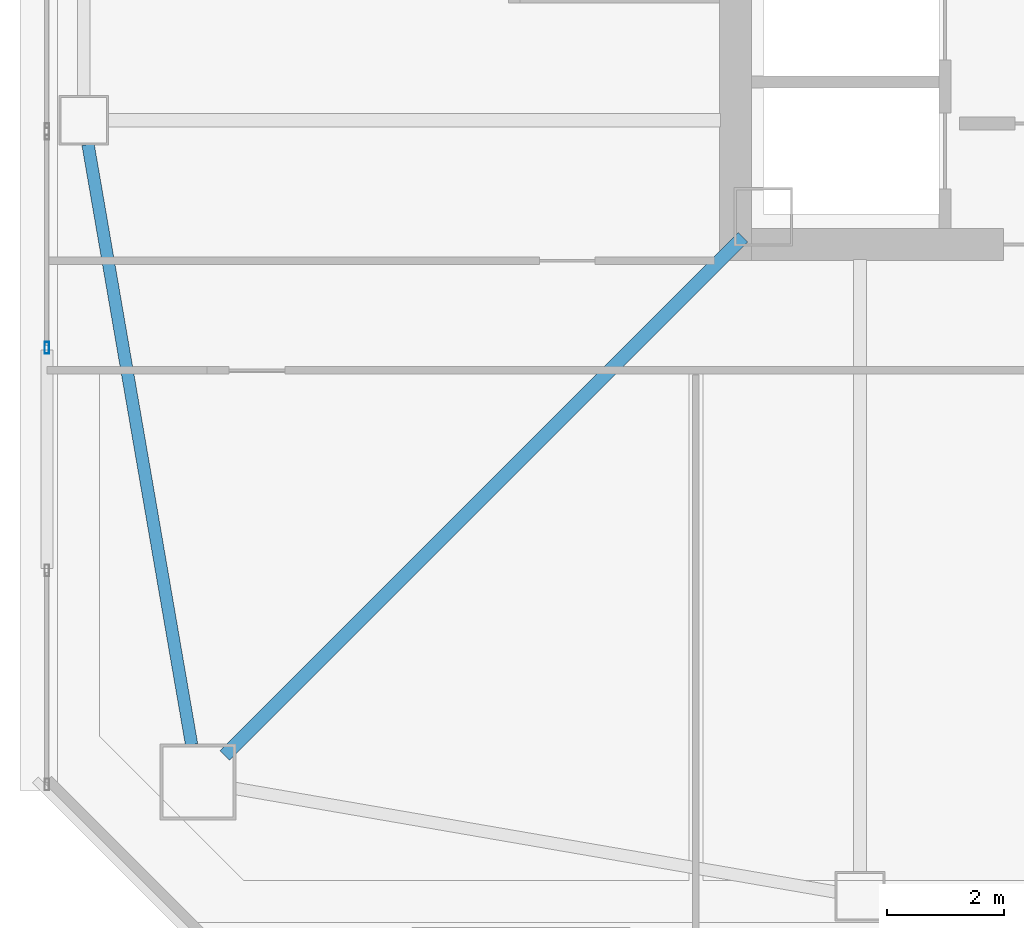
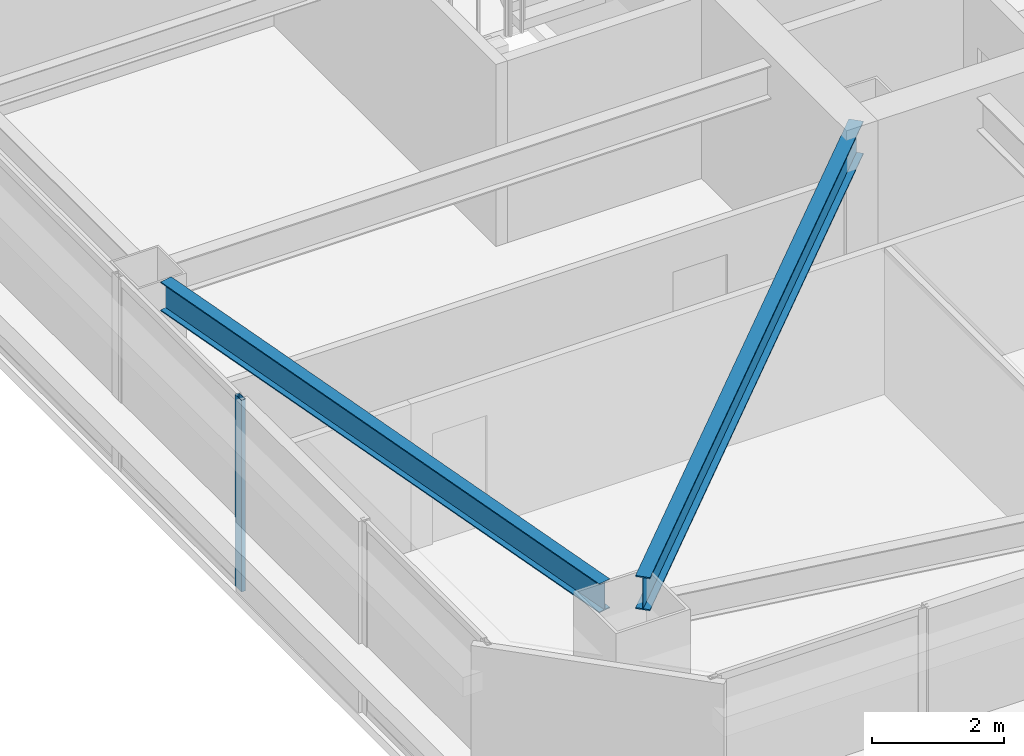
# One storey, part 4 of 46: 2 beams, 1 member, 1 element without a shape of its own.
"""IFC4 building model written with IfcOpenShell, lengths in metres."""

import ifcopenshell
import ifcopenshell.guid

model = None  # the IFC model being written
_history = None  # IfcOwnerHistory: only IFC2X3 demands one
_inside = {}  # id of a spatial element -> (the spatial element, [elements in it])
_under = {}  # id of a project, library or spatial element -> (it, [spatial elements below it])
_declared = {}  # id of a project -> (the project, [libraries it declares])
_typed = {}  # id of a type object -> (the type object, [elements of that type])
_made_of = {}  # id of a material, layer set ... -> (it, [elements and type objects made of it])


def new_model(schema):
    """Start an empty IFC model of exactly this schema.

    Asked for "IFC4X3", IfcOpenShell would pick the latest addendum, in which some entities
    have other attributes; the version numbers below select the first issue.
    IFC2X3 requires an IfcOwnerHistory on every rooted entity: one is made here for all.
    """
    global model, _history
    if schema == "IFC4X3":
        model = ifcopenshell.file(schema_version=(4, 3, 0, 0))
    else:
        model = ifcopenshell.file(schema=schema)
    _inside.clear()
    _under.clear()
    _declared.clear()
    _typed.clear()
    _made_of.clear()
    _history = None
    if model.schema == "IFC2X3":
        org = make("IfcOrganization", Name="unknown")
        user = make(
            "IfcPersonAndOrganization",
            ThePerson=make("IfcPerson", FamilyName="unknown"),
            TheOrganization=org,
        )
        app = make(
            "IfcApplication",
            ApplicationDeveloper=org,
            Version="unknown",
            ApplicationFullName="unknown",
            ApplicationIdentifier="unknown",
        )
        _history = make(
            "IfcOwnerHistory",
            OwningUser=user,
            OwningApplication=app,
            ChangeAction="ADDED",
            CreationDate=0,
        )
    return model


def make(cls, **values):
    """One entity of the class cls with the attributes given. An attribute that is None is left unset."""
    return model.create_entity(
        cls, **{name: value for name, value in values.items() if value is not None}
    )


def rooted(cls, **values):
    """An entity with a GlobalId (a new one), such as an element, a storey or a relation."""
    return make(cls, GlobalId=ifcopenshell.guid.new(), OwnerHistory=_history, **values)


def si_unit(unit_type, name, prefix=None):
    """IfcSIUnit, for example si_unit("LENGTHUNIT", "METRE", prefix="MILLI")."""
    return make("IfcSIUnit", UnitType=unit_type, Prefix=prefix, Name=name)


def assignment(units):
    """IfcUnitAssignment: the units of a project."""
    return None if units is None else make("IfcUnitAssignment", Units=units)


def point(xyz):
    """IfcCartesianPoint."""
    return None if xyz is None else make("IfcCartesianPoint", Coordinates=xyz)


def direction(xyz):
    """IfcDirection."""
    return None if xyz is None else make("IfcDirection", DirectionRatios=xyz)


def frame(location, z_axis=None, x_axis=None):
    """IfcAxis2Placement3D, a coordinate frame: its origin and axes. An axis left out is left unset."""
    return make(
        "IfcAxis2Placement3D",
        Location=point(location),
        Axis=direction(z_axis),
        RefDirection=direction(x_axis),
    )


def frame_2d(location, x_axis=None):
    """IfcAxis2Placement2D, a coordinate frame in the plane: its origin and x axis."""
    return make(
        "IfcAxis2Placement2D", Location=point(location), RefDirection=direction(x_axis)
    )


def origin():
    """The frame at (0, 0, 0) with its axes left unset."""
    return frame((0.0, 0.0, 0.0))


def origin_2d():
    """The frame at (0, 0) in the plane with its x axis left unset."""
    return frame_2d((0.0, 0.0))


def place(relative_to, where):
    """IfcLocalPlacement: puts the frame where relative to a parent placement (None: the world)."""
    return make(
        "IfcLocalPlacement", PlacementRelTo=relative_to, RelativePlacement=where
    )


def context(
    kind, dimensions, precision=None, world=None, true_north=None, identifier=None
):
    """IfcGeometricRepresentationContext, for example the 3D "Model" context."""
    return make(
        "IfcGeometricRepresentationContext",
        ContextIdentifier=identifier,
        ContextType=kind,
        CoordinateSpaceDimension=dimensions,
        Precision=precision,
        WorldCoordinateSystem=world,
        TrueNorth=true_north,
    )


def subcontext(parent, identifier, kind, view, scale=None):
    """IfcGeometricRepresentationSubContext, for example "Body" below "Model"."""
    return make(
        "IfcGeometricRepresentationSubContext",
        ContextIdentifier=identifier,
        ContextType=kind,
        ParentContext=parent,
        TargetScale=scale,
        TargetView=view,
    )


def project(units=None, contexts=None):
    """IfcProject with its units and contexts."""
    return rooted(
        "IfcProject",
        Name="project",
        RepresentationContexts=contexts,
        UnitsInContext=assignment(units),
    )


def spatial(cls, under=None, at=None, **own):
    """A site, building, storey or space (cls), placed at a placement, below another one or the project."""
    s = rooted(cls, ObjectPlacement=at, **own)
    if under is not None:
        _under.setdefault(under.id(), (under, []))[1].append(s)
    return s


def profile(cls, at=None, kind="AREA", **sizes):
    """A parametric profile (cls). Its sizes go by their IFC names, for example OverallWidth=200.0."""
    return make(cls, ProfileType=kind, Position=at, **sizes)


def hollow_rectangle(**sizes):
    """IfcRectangleHollowProfileDef."""
    return profile("IfcRectangleHollowProfileDef", **sizes)


def i_section(**sizes):
    """IfcIShapeProfileDef."""
    return profile("IfcIShapeProfileDef", **sizes)


def extrude(swept, where, along, depth):
    """IfcExtrudedAreaSolid: the profile swept, set in the frame where, extruded along a direction by depth."""
    return make(
        "IfcExtrudedAreaSolid",
        SweptArea=swept,
        Position=where,
        ExtrudedDirection=direction(along),
        Depth=depth,
    )


def shape(context_of_items, identifier, shape_type, items):
    """IfcShapeRepresentation: the items that make up one representation, for example the "Body"."""
    return make(
        "IfcShapeRepresentation",
        ContextOfItems=context_of_items,
        RepresentationIdentifier=identifier,
        RepresentationType=shape_type,
        Items=items,
    )


def material(Name=None, Category=None):
    """IfcMaterial."""
    return make("IfcMaterial", Name=Name, Category=Category)


def material_profile(
    of_material, cross_section, Name=None, Category=None, Priority=None
):
    """IfcMaterialProfile: a cross section and its material."""
    return make(
        "IfcMaterialProfile",
        Name=Name,
        Material=of_material,
        Profile=cross_section,
        Priority=Priority,
        Category=Category,
    )


def profile_set(profiles, Name=None, composite=None):
    """IfcMaterialProfileSet."""
    return make(
        "IfcMaterialProfileSet",
        Name=Name,
        MaterialProfiles=profiles,
        CompositeProfile=composite,
    )


def made_of(thing, what):
    """Note that an element or type object is made of a material, layer set ...; save() writes the relation."""
    if what is not None:
        _made_of.setdefault(what.id(), (what, []))[1].append(thing)
    return thing


def type_object(cls, material=None, **own):
    """A type object (cls), such as IfcWallType, which elements share."""
    return made_of(rooted(cls, **own), material)


def element(
    cls,
    number,
    at=None,
    inside=None,
    cuts=None,
    type_object=None,
    material=None,
    context=None,
    identifier="Body",
    shape_type=None,
    held_by="IfcProductDefinitionShape",
    body=None,
    shapes=None,
    **own,
):
    """One element of the class cls, such as IfcWall. Its Tag is "e" and its number.

    at: its placement. inside: the storey or other place that contains it. cuts: it is an
    opening in that element (IfcRelVoidsElement). A single representation is given by context,
    identifier, shape_type and body (its items); several are given by shapes. held_by: the class
    of the entity that holds the representations. save() writes the other relations.
    """
    e = rooted(cls, Tag="e%d" % number, ObjectPlacement=at, **own)
    if body is not None:
        shapes = [shape(context, identifier, shape_type, body)]
    if shapes is not None:
        e.Representation = make(held_by, Representations=shapes)
    if inside is not None:
        _inside.setdefault(inside.id(), (inside, []))[1].append(e)
    if cuts is not None:
        rooted(
            "IfcRelVoidsElement", RelatingBuildingElement=cuts, RelatedOpeningElement=e
        )
    if type_object is not None:
        _typed.setdefault(type_object.id(), (type_object, []))[1].append(e)
    return made_of(e, material)


def aggregate(whole, parts):
    """IfcRelAggregates: a whole, such as a stair, and the parts it consists of."""
    return rooted("IfcRelAggregates", RelatingObject=whole, RelatedObjects=parts)


def save(model, path):
    """Write the relations noted so far, then the file.

    IfcRelAggregates (storeys below a building ...), IfcRelContainedInSpatialStructure (elements
    in a storey), IfcRelDefinesByType, IfcRelAssociatesMaterial and IfcRelDeclares: one each for
    every whole, place, type object, material and project.
    """
    for whole, parts in _under.values():
        aggregate(whole, parts)
    for where, things in _inside.values():
        rooted(
            "IfcRelContainedInSpatialStructure",
            RelatedElements=things,
            RelatingStructure=where,
        )
    for kind, things in _typed.values():
        rooted("IfcRelDefinesByType", RelatedObjects=things, RelatingType=kind)
    for what, things in _made_of.values():
        rooted("IfcRelAssociatesMaterial", RelatedObjects=things, RelatingMaterial=what)
    for by, libraries in _declared.values():
        rooted("IfcRelDeclares", RelatingContext=by, RelatedDefinitions=libraries)
    model.write(path)


model = new_model("IFC4")

# Units and contexts
model_context = context("Model", 3, precision=1e-05, world=origin(), true_north=direction((0.0, 1.0)))
body_context = subcontext(model_context, "Body", "Model", "MODEL_VIEW")
ifc_project = project(units=[si_unit("LENGTHUNIT", "METRE"), si_unit("AREAUNIT", "SQUARE_METRE"), si_unit("VOLUMEUNIT", "CUBIC_METRE"), si_unit("PLANEANGLEUNIT", "RADIAN"), si_unit("MASSUNIT", "GRAM", prefix="KILO")], contexts=[model_context])

# Site, building, storey
site_placement = place(None, origin())
site = spatial("IfcSite", under=ifc_project, at=site_placement, CompositionType="ELEMENT")
building_placement = place(site_placement, origin())
building = spatial("IfcBuilding", under=site, at=building_placement, Name="Tashvorn Skyway Center", CompositionType="ELEMENT")
storey_placement = place(building_placement, frame((0.0, 0.0, 139.25)))
storey = spatial("IfcBuildingStorey", under=building, at=storey_placement, Name="L37", CompositionType="ELEMENT", Elevation=139.25)

# Beams
ifc_material_1 = material(Name="Steel ASTM A992 Grade 50", Category="steel")
ifc_material_profile_1 = material_profile(ifc_material_1, i_section(OverallWidth=0.22998046875, OverallDepth=0.616943359375, WebThickness=0.01318359375, FlangeThickness=0.022216796875, at=origin_2d()), Name="W24X94")
ifc_profile_set_1 = profile_set([ifc_material_profile_1], Name="Steel ASTM A992 Grade 50")
beam_type_1 = type_object("IfcBeamType", Name="BM-BEAM-W24X94", PredefinedType="BEAM", material=ifc_profile_set_1)
beam_1_placement = place(storey_placement, frame((25.756103515625, 15.756103515625, 3.0615234375), z_axis=(0.707106781187, 0.707106781187, 0.0), x_axis=(-0.707106781187, 0.707106781187, 0.0)))
element("IfcBeam", 1, at=beam_1_placement, inside=storey, type_object=beam_type_1, Name="Tower 1 L37 Primary Floor Girder MC-SW", PredefinedType="BEAM", context=body_context, shape_type="SweptSolid", body=[
    extrude(i_section(OverallWidth=0.22998046875, OverallDepth=0.616943359375, WebThickness=0.01318359375, FlangeThickness=0.022216796875, at=origin_2d()), origin(), (0.0, 0.0, 1.0), 12.50732421875),
])
ifc_material_profile_2 = material_profile(ifc_material_1, i_section(OverallWidth=0.2109375, OverallDepth=0.5390625, WebThickness=0.01171875, FlangeThickness=0.018798828125, at=origin_2d()), Name="W21X73")
ifc_profile_set_2 = profile_set([ifc_material_profile_2], Name="Steel ASTM A992 Grade 50")
beam_type_2 = type_object("IfcBeamType", Name="BM-SPANDREL-W21X73", PredefinedType="SPANDREL", material=ifc_profile_set_2)
beam_2_placement = place(storey_placement, frame((23.42138671875, 26.18603515625, 3.1005859375), z_axis=(0.170067250846, -0.985432458462, 0.0), x_axis=(0.985432458462, 0.170067250846, 0.0)))
element("IfcBeam", 2, at=beam_2_placement, inside=storey, type_object=beam_type_2, Name="Tower 1 L37 Spandrel Beam 12", PredefinedType="SPANDREL", context=body_context, shape_type="SweptSolid", body=[
    extrude(i_section(OverallWidth=0.2109375, OverallDepth=0.5390625, WebThickness=0.01171875, FlangeThickness=0.018798828125, at=origin_2d()), origin(), (0.0, 0.0, 1.0), 10.402099609375),
])

# Curtain wall, member
ifc_material_2 = material(Name="Thermally broken bronze-anodized aluminium 6063-T6", Category="aluminium")
curtain_wall_type = type_object("IfcCurtainWallType", Name="CW-CW-Z3", PredefinedType="NOTDEFINED", material=ifc_material_2)
curtain_wall_placement = place(storey_placement, origin())
curtain_wall = element("IfcCurtainWall", 3, at=curtain_wall_placement, inside=storey, type_object=curtain_wall_type, Name="Tower 1 L37 West Unitised Curtain Wall Glazing Group 2", PredefinedType="NOTDEFINED")
ifc_material_profile_3 = material_profile(ifc_material_2, hollow_rectangle(XDim=0.074951171875, YDim=0.199951171875, WallThickness=0.00439453125, at=origin_2d()), Name="ALU-MULL-75x200")
ifc_profile_set_3 = profile_set([ifc_material_profile_3], Name="Thermally broken bronze-anodized aluminium 6063-T6")
member_type = type_object("IfcMemberType", Name="CWM-CW-Z3", PredefinedType="MULLION", material=ifc_profile_set_3)
member_placement = place(storey_placement, frame((22.719970703125, 22.71533203125, 0.0), z_axis=(0.0, 0.0, 1.0), x_axis=(-1.0, 0.0, 0.0)))
member = element("IfcMember", 4, at=member_placement, type_object=member_type, Name="CW-Z3 mullion 1", PredefinedType="MULLION", context=body_context, shape_type="SweptSolid", body=[
    extrude(hollow_rectangle(XDim=0.074951171875, YDim=0.199951171875, WallThickness=0.00439453125, at=origin_2d()), origin(), (0.0, 0.0, 1.0), 3.550048828125),
])
aggregate(curtain_wall, [member])

save(model, "model.ifc")
